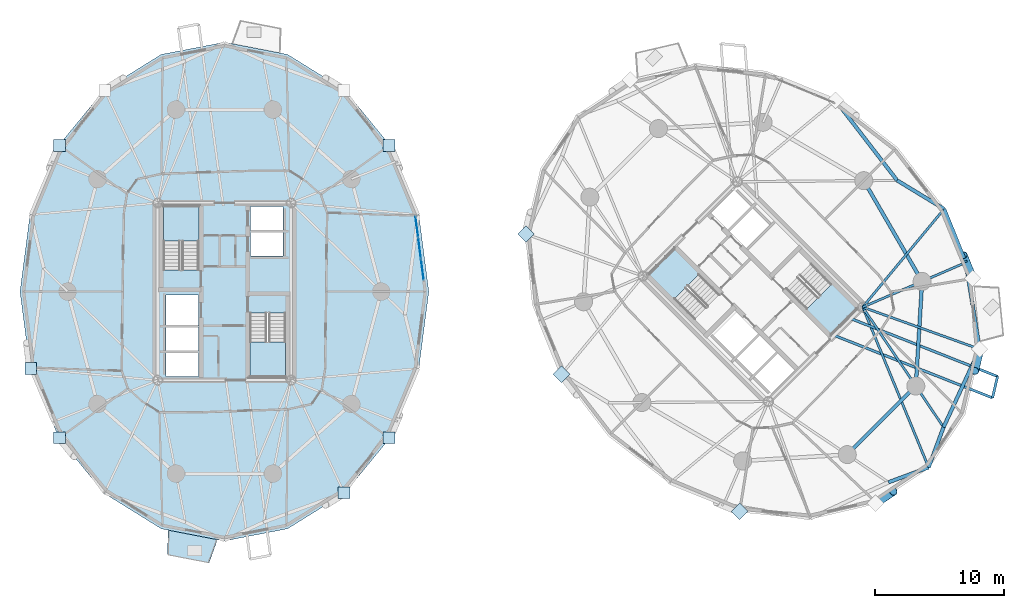
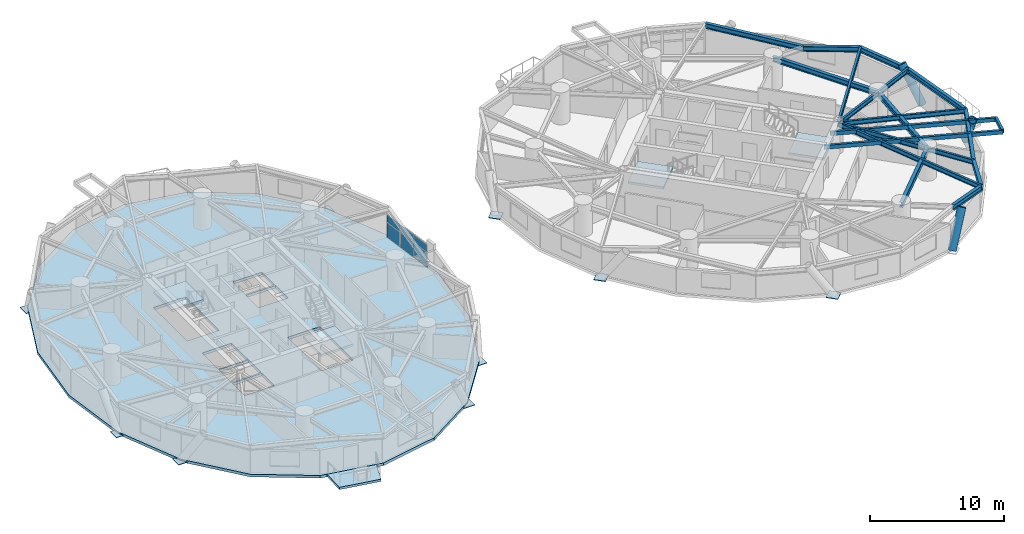
# One storey, part 8 of 19: 18 beams, 15 plates, 6 slabs, 3 members, 5 elements without a shape of their own.
"""IFC4 building model written with IfcOpenShell, lengths in metres."""

from ifc_helpers import new_model, si_unit, direction, frame, origin, origin_2d, place, context, subcontext, project, spatial, polyline, rectangle, hollow_rectangle, hollow_circle, i_section, outline, extrude, source, transform, mapped, material, layer, layer_set, material_profile, profile_set, type_object, element, aggregate, save


model = new_model("IFC4")

# Units and contexts
model_context = context("Model", 3, precision=1e-05, world=origin(), true_north=direction((0.0, 1.0)))
body_context = subcontext(model_context, "Body", "Model", "MODEL_VIEW")
ifc_project = project(units=[si_unit("LENGTHUNIT", "METRE"), si_unit("AREAUNIT", "SQUARE_METRE"), si_unit("VOLUMEUNIT", "CUBIC_METRE"), si_unit("PLANEANGLEUNIT", "RADIAN"), si_unit("MASSUNIT", "GRAM", prefix="KILO")], contexts=[model_context])

# Site, building, storey
site_placement = place(None, origin())
site = spatial("IfcSite", under=ifc_project, at=site_placement, CompositionType="ELEMENT")
building_placement = place(site_placement, origin())
building = spatial("IfcBuilding", under=site, at=building_placement, Name="Cununo Teusaquillo Station Towers", CompositionType="ELEMENT")
storey_placement = place(building_placement, frame((0.0, 0.0, 84.699951171875)))
storey = spatial("IfcBuildingStorey", under=building, at=storey_placement, Name="L26", CompositionType="ELEMENT", Elevation=84.699951171875)

# Beams
ifc_material_1 = material(Name="Steel EN 10025-2 S355J2", Category="steel")
ifc_material_profile_1 = material_profile(ifc_material_1, hollow_rectangle(XDim=0.199951171875, YDim=0.35009765625, WallThickness=0.013916015625, at=origin_2d()), Name="RHS 350x200x14")
ifc_profile_set_1 = profile_set([ifc_material_profile_1], Name="Steel EN 10025-2 S355J2")
beam_type_1 = type_object("IfcBeamType", Name="BM-BAL-CANT", PredefinedType="BEAM", material=ifc_profile_set_1)
beam_1_placement = place(storey_placement, frame((63.593505859375, 21.188720703125, 2.4951171875), z_axis=(0.930217566196, -0.367008555132, 0.0), x_axis=(0.367008555132, 0.930217566196, 0.0)))
element("IfcBeam", 1, at=beam_1_placement, inside=storey, type_object=beam_type_1, Name="L26 Tower B Balcony Cantilever Bracket 2A", PredefinedType="BEAM", context=body_context, shape_type="SweptSolid", body=[
    extrude(hollow_rectangle(XDim=0.199951171875, YDim=0.35009765625, WallThickness=0.013916015625, at=origin_2d()), origin(), (0.0, 0.0, 1.0), 13.44140625),
])
beam_2_placement = place(storey_placement, frame((64.894287109375, 22.48974609375, 2.4951171875), z_axis=(0.930220364523, -0.367001462432, 0.0), x_axis=(0.367001462432, 0.930220364523, 0.0)))
element("IfcBeam", 2, at=beam_2_placement, inside=storey, type_object=beam_type_1, Name="L26 Tower B Balcony Cantilever Bracket 2B", PredefinedType="BEAM", context=body_context, shape_type="SweptSolid", body=[
    extrude(hollow_rectangle(XDim=0.199951171875, YDim=0.35009765625, WallThickness=0.013916015625, at=origin_2d()), origin(), (0.0, 0.0, 1.0), 12.459716796875),
])
ifc_material_2 = material(Name="Steel ASTM A572 Grade 50", Category="steel")
ifc_material_profile_2 = material_profile(ifc_material_2, i_section(OverallWidth=0.180908203125, OverallDepth=0.4169921875, WebThickness=0.010986328125, FlangeThickness=0.018310546875, FilletRadius=0.012939453125, at=origin_2d()), Name="W16X57")
ifc_profile_set_2 = profile_set([ifc_material_profile_2], Name="Steel ASTM A572 Grade 50")
beam_type_2 = type_object("IfcBeamType", Name="BM-JOIST-1", PredefinedType="JOIST", material=ifc_profile_set_2)
beam_3_placement = place(storey_placement, frame((66.024169921875, 23.29443359375, 2.461669921875), z_axis=(0.380485864505, -0.924786735908, 0.0), x_axis=(0.924786735908, 0.380485864505, 0.0)))
element("IfcBeam", 3, at=beam_3_placement, inside=storey, type_object=beam_type_2, Name="L26 Tower B Radial Spandrel Joist V15", PredefinedType="JOIST", context=body_context, shape_type="SweptSolid", body=[
    extrude(i_section(OverallWidth=0.180908203125, OverallDepth=0.4169921875, WebThickness=0.010986328125, FlangeThickness=0.018310546875, FilletRadius=0.012939453125, at=origin_2d()), origin(), (0.0, 0.0, 1.0), 13.44580078125),
])
beam_4_placement = place(storey_placement, frame((66.024169921875, 23.29443359375, 2.461669921875), z_axis=(0.941082771055, -0.338176312038, 0.0), x_axis=(0.338176312038, 0.941082771055, 0.0)))
element("IfcBeam", 4, at=beam_4_placement, inside=storey, type_object=beam_type_2, Name="L26 Tower B Radial Spandrel Joist V17", PredefinedType="JOIST", context=body_context, shape_type="SweptSolid", body=[
    extrude(i_section(OverallWidth=0.180908203125, OverallDepth=0.4169921875, WebThickness=0.010986328125, FlangeThickness=0.018310546875, FilletRadius=0.012939453125, at=origin_2d()), origin(), (0.0, 0.0, 1.0), 9.646484375),
])
beam_5_placement = place(storey_placement, frame((66.024169921875, 23.29443359375, 2.461669921875), z_axis=(0.638372238196, 0.769727799615, 0.0), x_axis=(-0.769727799615, 0.638372238196, 0.0)))
element("IfcBeam", 5, at=beam_5_placement, inside=storey, type_object=beam_type_2, Name="L26 Tower B Radial Spandrel Joist V19", PredefinedType="JOIST", context=body_context, shape_type="SweptSolid", body=[
    extrude(i_section(OverallWidth=0.180908203125, OverallDepth=0.4169921875, WebThickness=0.010986328125, FlangeThickness=0.018310546875, FilletRadius=0.012939453125, at=origin_2d()), origin(), (0.0, 0.0, 1.0), 9.895263671875),
])
ifc_material_3 = material(Name="Steel ASTM A572 Grade 50", Category="steel")
ifc_material_profile_3 = material_profile(ifc_material_3, i_section(OverallWidth=0.180908203125, OverallDepth=0.4169921875, WebThickness=0.010986328125, FlangeThickness=0.018310546875, FilletRadius=0.012939453125, at=origin_2d()), Name="W16X57")
ifc_profile_set_3 = profile_set([ifc_material_profile_3], Name="Steel ASTM A572 Grade 50")
beam_type_3 = type_object("IfcBeamType", Name="BM-RAD-G2", PredefinedType="BEAM", material=ifc_profile_set_3)
beam_6_placement = place(storey_placement, frame((66.024169921875, 23.29443359375, 2.461669921875), z_axis=(0.558572297481, -0.82945583878, 0.0), x_axis=(0.82945583878, 0.558572297481, 0.0)))
element("IfcBeam", 6, at=beam_6_placement, inside=storey, type_object=beam_type_3, Name="L26 Tower B Continuous Overhanging Radial Girder 09", PredefinedType="BEAM", context=body_context, shape_type="SweptSolid", body=[
    extrude(i_section(OverallWidth=0.180908203125, OverallDepth=0.4169921875, WebThickness=0.010986328125, FlangeThickness=0.018310546875, FilletRadius=0.012939453125, at=origin_2d()), origin(), (0.0, 0.0, 1.0), 11.22998046875),
])
beam_7_placement = place(storey_placement, frame((66.024169921875, 23.29443359375, 2.461669921875), z_axis=(0.917654733344, 0.397378648609, 0.0), x_axis=(-0.397378648609, 0.917654733344, 0.0)))
element("IfcBeam", 7, at=beam_7_placement, inside=storey, type_object=beam_type_3, Name="L26 Tower B Continuous Overhanging Radial Girder 10", PredefinedType="BEAM", context=body_context, shape_type="SweptSolid", body=[
    extrude(i_section(OverallWidth=0.180908203125, OverallDepth=0.4169921875, WebThickness=0.010986328125, FlangeThickness=0.018310546875, FilletRadius=0.012939453125, at=origin_2d()), origin(), (0.0, 0.0, 1.0), 8.71484375),
])
ifc_material_4 = material(Name="Steel ASTM A572 Grade 50", Category="steel")
ifc_material_profile_4 = material_profile(ifc_material_4, i_section(OverallWidth=0.280029296875, OverallDepth=0.462890625, WebThickness=0.0107421875, FlangeThickness=0.017333984375, FilletRadius=0.013916015625, at=origin_2d()), Name="W18X76")
ifc_profile_set_4 = profile_set([ifc_material_profile_4], Name="Steel ASTM A572 Grade 50")
beam_type_4 = type_object("IfcBeamType", Name="BM-RING-Z2", PredefinedType="SPANDREL", material=ifc_profile_set_4)
beam_8_placement = place(storey_placement, frame((64.826904296875, 11.853759765625, 2.4384765625), z_axis=(0.707106781187, 0.707106781187, 0.0), x_axis=(-0.707106781187, 0.707106781187, 0.0)))
element("IfcBeam", 8, at=beam_8_placement, inside=storey, type_object=beam_type_4, Name="L26 Tower B Structural Column Ring Girder 08", PredefinedType="SPANDREL", context=body_context, shape_type="SweptSolid", body=[
    extrude(i_section(OverallWidth=0.280029296875, OverallDepth=0.462890625, WebThickness=0.0107421875, FlangeThickness=0.017333984375, FilletRadius=0.013916015625, at=origin_2d()), origin(), (0.0, 0.0, 1.0), 7.522705078125),
])
beam_9_placement = place(storey_placement, frame((70.146240234375, 17.173095703125, 2.4384765625), z_axis=(0.06012979176, 0.998190567048, 0.0), x_axis=(-0.998190567048, 0.06012979176, 0.0)))
element("IfcBeam", 9, at=beam_9_placement, inside=storey, type_object=beam_type_4, Name="L26 Tower B Structural Column Ring Girder 09", PredefinedType="SPANDREL", context=body_context, shape_type="SweptSolid", body=[
    extrude(i_section(OverallWidth=0.280029296875, OverallDepth=0.462890625, WebThickness=0.0107421875, FlangeThickness=0.017333984375, FilletRadius=0.013916015625, at=origin_2d()), origin(), (0.0, 0.0, 1.0), 8.132568359375),
])
beam_10_placement = place(storey_placement, frame((70.63525390625, 25.291015625, 2.4384765625), z_axis=(-0.501311121078, 0.865267103202, 0.0), x_axis=(-0.865267103202, -0.501311121078, 0.0)))
element("IfcBeam", 10, at=beam_10_placement, inside=storey, type_object=beam_type_4, Name="L26 Tower B Structural Column Ring Girder 10", PredefinedType="SPANDREL", context=body_context, shape_type="SweptSolid", body=[
    extrude(i_section(OverallWidth=0.280029296875, OverallDepth=0.462890625, WebThickness=0.0107421875, FlangeThickness=0.017333984375, FilletRadius=0.013916015625, at=origin_2d()), origin(), (0.0, 0.0, 1.0), 9.032958984375),
])
beam_11_placement = place(storey_placement, frame((68.694580078125, 33.12890625, 2.4384765625), z_axis=(-0.610100441726, 0.792324082056, 0.0), x_axis=(-0.792324082056, -0.610100441726, 0.0)))
element("IfcBeam", 11, at=beam_11_placement, inside=storey, type_object=beam_type_4, Name="L26 Tower B Spandrel Ring Beam 01", PredefinedType="SPANDREL", context=body_context, shape_type="SweptSolid", body=[
    extrude(i_section(OverallWidth=0.280029296875, OverallDepth=0.462890625, WebThickness=0.0107421875, FlangeThickness=0.017333984375, FilletRadius=0.013916015625, at=origin_2d()), origin(), (0.0, 0.0, 1.0), 7.84033203125),
])
for number, where, z_axis, x_axis, name in (
    (12, (68.020263671875, 9.703125, 2.4384765625), (0.937628334414, 0.347639333943, 0.0), (-0.347639333943, 0.937628334414, 0.0), "L26 Tower B Spandrel Ring Beam 15"),
    (13, (71.14013671875, 10.85986328125, 2.4384765625), (0.347639333943, 0.937628334414, 0.0), (-0.937628334414, 0.347639333943, 0.0), "L26 Tower B Spandrel Ring Beam 16"),
):
    element("IfcBeam", number, at=place(storey_placement, frame(where, z_axis=z_axis, x_axis=x_axis)), inside=storey, type_object=beam_type_4, Name=name, PredefinedType="SPANDREL", context=body_context, shape_type="SweptSolid", body=[
        extrude(i_section(OverallWidth=0.280029296875, OverallDepth=0.462890625, WebThickness=0.0107421875, FlangeThickness=0.017333984375, FilletRadius=0.013916015625, at=origin_2d()), origin(), (0.0, 0.0, 1.0), 3.327392578125),
    ])
beam_12_placement = place(storey_placement, frame((72.296875, 13.979736328125, 2.4384765625), z_axis=(0.420535961689, 0.907275870354, 0.0), x_axis=(-0.907275870354, 0.420535961689, 0.0)))
element("IfcBeam", 14, at=beam_12_placement, inside=storey, type_object=beam_type_4, Name="L26 Tower B Spandrel Ring Beam 17", PredefinedType="SPANDREL", context=body_context, shape_type="SweptSolid", body=[
    extrude(i_section(OverallWidth=0.280029296875, OverallDepth=0.462890625, WebThickness=0.0107421875, FlangeThickness=0.017333984375, FilletRadius=0.013916015625, at=origin_2d()), origin(), (0.0, 0.0, 1.0), 6.671142578125),
])
beam_13_placement = place(storey_placement, frame((75.102294921875, 20.0322265625, 2.4384765625), z_axis=(-0.158671232312, 0.987331474246, 0.0), x_axis=(-0.987331474246, -0.158671232312, 0.0)))
element("IfcBeam", 15, at=beam_13_placement, inside=storey, type_object=beam_type_4, Name="L26 Tower B Spandrel Ring Beam 18", PredefinedType="SPANDREL", context=body_context, shape_type="SweptSolid", body=[
    extrude(i_section(OverallWidth=0.280029296875, OverallDepth=0.462890625, WebThickness=0.0107421875, FlangeThickness=0.017333984375, FilletRadius=0.013916015625, at=origin_2d()), origin(), (0.0, 0.0, 1.0), 6.8115234375),
])
beam_14_placement = place(storey_placement, frame((74.021484375, 26.757568359375, 2.4384765625), z_axis=(-0.375042266631, 0.927007712072, 0.0), x_axis=(-0.927007712072, -0.375042266631, 0.0)))
element("IfcBeam", 16, at=beam_14_placement, inside=storey, type_object=beam_type_4, Name="L26 Tower B Spandrel Ring Beam 19", PredefinedType="SPANDREL", context=body_context, shape_type="SweptSolid", body=[
    extrude(i_section(OverallWidth=0.280029296875, OverallDepth=0.462890625, WebThickness=0.0107421875, FlangeThickness=0.017333984375, FilletRadius=0.013916015625, at=origin_2d()), origin(), (0.0, 0.0, 1.0), 4.480712890625),
])
beam_15_placement = place(storey_placement, frame((72.341064453125, 30.9111328125, 2.4384765625), z_axis=(-0.854388492444, 0.519634779416, 0.0), x_axis=(-0.519634779416, -0.854388492444, 0.0)))
element("IfcBeam", 17, at=beam_15_placement, inside=storey, type_object=beam_type_4, Name="L26 Tower B Spandrel Ring Beam 20", PredefinedType="SPANDREL", context=body_context, shape_type="SweptSolid", body=[
    extrude(i_section(OverallWidth=0.280029296875, OverallDepth=0.462890625, WebThickness=0.0107421875, FlangeThickness=0.017333984375, FilletRadius=0.013916015625, at=origin_2d()), origin(), (0.0, 0.0, 1.0), 4.26806640625),
])
ifc_material_5 = material(Name="Steel EN 10025-2 S355J2", Category="steel")
ifc_material_profile_5 = material_profile(ifc_material_5, hollow_rectangle(XDim=0.199951171875, YDim=0.35009765625, WallThickness=0.013916015625, at=origin_2d()), Name="RHS 350x200x14")
ifc_profile_set_5 = profile_set([ifc_material_profile_5], Name="Steel EN 10025-2 S355J2")
beam_type_5 = type_object("IfcBeamType", Name="BM-STAIR-TRIM", PredefinedType="BEAM", material=ifc_profile_set_5)
beam_16_placement = place(storey_placement, frame((76.096923828125, 16.255615234375, 2.525146484375), z_axis=(0.22725223503, 0.973835931599, 0.0), x_axis=(-0.973835931599, 0.22725223503, 0.0)))
element("IfcBeam", 18, at=beam_16_placement, inside=storey, type_object=beam_type_5, Name="L26 Tower B Balcony Edge Trimmer Beam 2", PredefinedType="BEAM", context=body_context, shape_type="SweptSolid", body=[
    extrude(hollow_rectangle(XDim=0.199951171875, YDim=0.35009765625, WallThickness=0.013916015625, at=origin_2d()), origin(), (0.0, 0.0, 1.0), 1.7060546875),
])

# Members
ifc_material_6 = material(Name="Steel EN 10025-2 S355J2", Category="steel")
ifc_material_profile_6 = material_profile(ifc_material_6, hollow_circle(Radius=0.330078125, WallThickness=0.02490234375, at=origin_2d()), Name="CHS 660x25")
ifc_profile_set_6 = profile_set([ifc_material_profile_6], Name="Steel EN 10025-2 S355J2")
member_type = type_object("IfcMemberType", Name="MBR-DIAG-Z2", PredefinedType="BRACE", material=ifc_profile_set_6)
member_1_placement = place(storey_placement, frame((67.019775390625, 8.07470703125, -0.139892578125), z_axis=(0.410124934173, 0.277231625428, 0.868872927552), x_axis=(-0.560024081213, 0.828476329452, 0.0)))
element("IfcMember", 19, at=member_1_placement, inside=storey, type_object=member_type, Name="L26 Tower B Folded-Zigzag Diagrid Tube C14", PredefinedType="BRACE", context=body_context, shape_type="SweptSolid", body=[
    extrude(hollow_circle(Radius=0.330078125, WallThickness=0.02490234375, at=origin_2d()), origin(), (0.0, 0.0, 1.0), 3.34912109375),
])
member_2_placement = place(storey_placement, frame((75.102294921875, 20.0322265625, -0.139892578125), z_axis=(-0.115910772147, -0.497471434658, 0.859701613701), x_axis=(0.973913029911, -0.226921594761, 0.0)))
element("IfcMember", 20, at=member_2_placement, inside=storey, type_object=member_type, Name="L26 Tower B Folded-Zigzag Diagrid Tube C16", PredefinedType="BRACE", context=body_context, shape_type="SweptSolid", body=[
    extrude(hollow_circle(Radius=0.330078125, WallThickness=0.02490234375, at=origin_2d()), origin(), (0.0, 0.0, 1.0), 3.384765625),
])
member_3_placement = place(storey_placement, frame((74.556640625, 25.521728515625, -0.139892578125), z_axis=(-0.211093316399, 0.51346268498, 0.83174255807), x_axis=(-0.924888817599, -0.380237656053, 0.0)))
element("IfcMember", 21, at=member_3_placement, inside=storey, type_object=member_type, Name="L26 Tower B Folded-Zigzag Diagrid Tube C18", PredefinedType="BRACE", context=body_context, shape_type="SweptSolid", body=[
    extrude(hollow_circle(Radius=0.330078125, WallThickness=0.02490234375, at=origin_2d()), origin(), (0.0, 0.0, 1.0), 3.49853515625),
])

# Slab
ifc_material_7 = material(Name="Concrete C50/60", Category="concrete")
ifc_layer_1 = layer(ifc_material_7, 0.2099609375)
ifc_layer_set_1 = layer_set([ifc_layer_1], Name="Concrete C50/60")
slab_type_1 = type_object("IfcSlabType", Name="SLB-BAL-210", PredefinedType="FLOOR", material=ifc_layer_set_1)
slab_1_placement = place(storey_placement, frame((0.0, 0.0, -0.2099609375)))
element("IfcSlab", 22, at=slab_1_placement, inside=storey, type_object=slab_type_1, Name="L26 Tower A Tree Balcony Slab 2", PredefinedType="FLOOR", context=body_context, shape_type="SweptSolid", body=[
    extrude(outline(polyline([(12.1376953125, 5.98779296875), (15.958984375, 5.24951171875), (15.30126953125, 3.426025390625), (12.069091796875, 4.05078125), (12.1376953125, 5.98779296875)])), origin(), (0.0, 0.0, 1.0), 0.2099609375),
])

# Stair, slab
ifc_material_8 = material(Name="Concrete C50/60", Category="concrete")
stair_type = type_object("IfcStairType", Name="ST-TWR-1300", PredefinedType="HALF_TURN_STAIR", material=ifc_material_8)
stair_1_placement = place(storey_placement, origin())
stair_1 = element("IfcStair", 23, at=stair_1_placement, inside=storey, type_object=stair_type, Name="L26 Tower A Protected Core Exit Stair 1", PredefinedType="HALF_TURN_STAIR")
ifc_material_9 = material(Name="Concrete C50/60", Category="concrete")
ifc_layer_2 = layer(ifc_material_9, 0.199951171875)
ifc_layer_set_2 = layer_set([ifc_layer_2], Name="Concrete C50/60")
slab_type_2 = type_object("IfcSlabType", Name="SLB-STAIR-LND", PredefinedType="LANDING", material=ifc_layer_set_2)
slab_2_placement = place(storey_placement, frame((0.0, 0.0, 1.255126953125)))
slab_2 = element("IfcSlab", 24, at=slab_2_placement, type_object=slab_type_2, Name="ST-T1-1 landing 1", PredefinedType="LANDING", context=body_context, shape_type="SweptSolid", body=[
    extrude(outline(polyline([(14.52001953125, 28.409912109375), (14.52001953125, 31.159912109375), (11.760009765625, 31.159912109375), (11.760009765625, 28.409912109375), (14.52001953125, 28.409912109375)])), origin(), (0.0, 0.0, 1.0), 0.199951171875),
])
aggregate(stair_1, [slab_2])

stair_2_placement = place(storey_placement, origin())
stair_2 = element("IfcStair", 25, at=stair_2_placement, inside=storey, type_object=stair_type, Name="L26 Tower A Protected Core Exit Stair 2", PredefinedType="HALF_TURN_STAIR")
slab_3_placement = place(storey_placement, frame((0.0, 0.0, 1.255126953125)))
slab_3 = element("IfcSlab", 26, at=slab_3_placement, type_object=slab_type_2, Name="ST-T1-2 landing 1", PredefinedType="LANDING", context=body_context, shape_type="SweptSolid", body=[
    extrude(outline(polyline([(18.47998046875, 20.590087890625), (18.47998046875, 17.840087890625), (21.239990234375, 17.840087890625), (21.239990234375, 20.590087890625), (18.47998046875, 20.590087890625)])), origin(), (0.0, 0.0, 1.0), 0.199951171875),
])
aggregate(stair_2, [slab_3])

stair_3_placement = place(storey_placement, origin())
stair_3 = element("IfcStair", 27, at=stair_3_placement, inside=storey, type_object=stair_type, Name="L26 Tower B Protected Core Exit Stair 1", PredefinedType="HALF_TURN_STAIR")
slab_4_placement = place(storey_placement, frame((0.0, 0.0, 1.255126953125)))
slab_4 = element("IfcSlab", 28, at=slab_4_placement, type_object=slab_type_2, Name="ST-T2-1 landing 1", PredefinedType="LANDING", context=body_context, shape_type="SweptSolid", body=[
    extrude(outline(polyline([(53.335205078125, 25.86474609375), (51.390625, 27.809326171875), (49.43896484375, 25.857666015625), (51.383544921875, 23.9130859375), (53.335205078125, 25.86474609375)])), origin(), (0.0, 0.0, 1.0), 0.199951171875),
])
aggregate(stair_3, [slab_4])

stair_4_placement = place(storey_placement, origin())
stair_4 = element("IfcStair", 29, at=stair_4_placement, inside=storey, type_object=stair_type, Name="L26 Tower B Protected Core Exit Stair 2", PredefinedType="HALF_TURN_STAIR")
slab_5_placement = place(storey_placement, frame((0.0, 0.0, 1.255126953125)))
slab_5 = element("IfcSlab", 30, at=slab_5_placement, type_object=slab_type_2, Name="ST-T2-2 landing 1", PredefinedType="LANDING", context=body_context, shape_type="SweptSolid", body=[
    extrude(outline(polyline([(61.664794921875, 23.13525390625), (63.609375, 21.190673828125), (65.56103515625, 23.142333984375), (63.616455078125, 25.0869140625), (61.664794921875, 23.13525390625)])), origin(), (0.0, 0.0, 1.0), 0.199951171875),
])
aggregate(stair_4, [slab_5])

# Slab
ifc_material_10 = material(Name="Concrete C40/50", Category="concrete")
ifc_layer_3 = layer(ifc_material_10, 0.239990234375)
ifc_layer_set_3 = layer_set([ifc_layer_3], Name="Concrete C40/50")
slab_type_3 = type_object("IfcSlabType", Name="SLB-Z2-240", PredefinedType="FLOOR", material=ifc_layer_set_3)
slab_6_placement = place(storey_placement, frame((0.0, 0.0, -0.239990234375)))
element("IfcSlab", 31, at=slab_6_placement, inside=storey, type_object=slab_type_3, Name="L26 Tower A Floor Slab", PredefinedType="FLOOR", context=body_context, shape_type="SweptSolid", body=[
    extrude(outline(polyline([(32.361083984375, 24.5), (31.584716796875, 30.4794921875), (29.331787109375, 35.87353515625), (25.822998046875, 40.154541015625), (21.4013671875, 42.90283203125), (16.5, 43.85009765625), (11.5986328125, 42.90283203125), (7.177001953125, 40.154541015625), (3.668212890625, 35.87353515625), (1.415283203125, 30.4794921875), (0.638916015625, 24.5), (1.415283203125, 18.5205078125), (3.668212890625, 13.12646484375), (7.177001953125, 8.845458984375), (11.5986328125, 6.09716796875), (16.5, 5.14990234375), (21.4013671875, 6.09716796875), (25.822998046875, 8.845458984375), (29.331787109375, 13.12646484375), (31.584716796875, 18.5205078125), (32.361083984375, 24.5)]), holes=[polyline([(14.52001953125, 26.176025390625), (14.52001953125, 31.159912109375), (11.760009765625, 31.159912109375), (11.760009765625, 26.176025390625), (14.52001953125, 26.176025390625)]), polyline([(18.47998046875, 22.823974609375), (18.47998046875, 17.840087890625), (21.239990234375, 17.840087890625), (21.239990234375, 22.823974609375), (18.47998046875, 22.823974609375)]), polyline([(11.949951171875, 21.85009765625), (14.47998046875, 21.85009765625), (14.47998046875, 24.25), (11.949951171875, 24.25), (11.949951171875, 21.85009765625)]), polyline([(11.949951171875, 17.89990234375), (14.47998046875, 17.89990234375), (14.47998046875, 19.75), (11.949951171875, 19.75), (11.949951171875, 17.89990234375)]), polyline([(11.949951171875, 19.89990234375), (14.47998046875, 19.89990234375), (14.47998046875, 21.75), (11.949951171875, 21.75), (11.949951171875, 19.89990234375)]), polyline([(18.52001953125, 27.25), (21.050048828125, 27.25), (21.050048828125, 29.10009765625), (18.52001953125, 29.10009765625), (18.52001953125, 27.25)]), polyline([(18.52001953125, 29.25), (21.050048828125, 29.25), (21.050048828125, 31.10009765625), (18.52001953125, 31.10009765625), (18.52001953125, 29.25)])]), origin(), (0.0, 0.0, 1.0), 0.239990234375),
])

# Plates
ifc_material_11 = material(Name="Steel ASTM A572 Grade 50", Category="steel")
ifc_layer_4 = layer(ifc_material_11, 0.050048828125)
ifc_layer_set_4 = layer_set([ifc_layer_4], Name="Steel ASTM A572 Grade 50")
plate_type_1 = type_object("IfcPlateType", Name="PLT-NODE-DN1", PredefinedType="USERDEFINED", material=ifc_layer_set_4)
shared_shape_1 = source(origin(), body_context, "Body", "SweptSolid", [
    extrude(rectangle(XDim=0.919921875, YDim=0.919921875, at=origin_2d()), origin(), (0.0, 0.0, 1.0), 0.050048828125),
])
for number, where, z_axis, x_axis, name in (
    (32, (29.283203125, 35.83837890625, -0.1650390625), (0.0, 0.0, 1.0), (1.0, 0.0, 0.0), "L26 Tower A Diagrid Node Assembly C01"),
    (33, (3.716796875, 35.83837890625, -0.1650390625), (0.0, 0.0, 1.0), (1.0, 0.0, 0.0), "L26 Tower A Diagrid Node Assembly C08"),
    (34, (1.472412109375, 18.5390625, -0.1650390625), (0.0, 0.0, 1.0), (1.0, 0.0, 0.0), "L26 Tower A Diagrid Node Assembly C10"),
    (35, (3.716796875, 13.16162109375, -0.1650390625), (0.0, 0.0, 1.0), (1.0, 0.0, 0.0), "L26 Tower A Diagrid Node Assembly C12"),
    (36, (25.78759765625, 8.89404296875, -0.1650390625), (0.0, 0.0, 1.0), (1.0, 0.0, 0.0), "L26 Tower A Diagrid Node Assembly C16"),
    (37, (29.283203125, 13.16162109375, -0.1650390625), (0.0, 0.0, 1.0), (1.0, 0.0, 0.0), "L26 Tower A Diagrid Node Assembly C18"),
    (38, (39.897705078125, 28.9677734375, -0.1650390625), (0.0, 0.0, 1.0), (0.707106781187, 0.707106781187, 0.0), "L26 Tower B Diagrid Node Assembly C06"),
    (39, (42.658935546875, 18.0888671875, -0.1650390625), (0.0, 0.0, 1.0), (0.707106781187, 0.707106781187, 0.0), "L26 Tower B Diagrid Node Assembly C09"),
    (40, (56.478271484375, 7.443359375, -0.1650390625), (0.0, 0.0, 1.0), (0.707106781187, 0.707106781187, 0.0), "L26 Tower B Diagrid Node Assembly C11"),
):
    element("IfcPlate", number, at=place(storey_placement, frame(where, z_axis=z_axis, x_axis=x_axis)), inside=storey, type_object=plate_type_1, Name=name, ObjectType="GUSSET PLATE", PredefinedType="USERDEFINED", context=body_context, shape_type="MappedRepresentation", body=[
        mapped(shared_shape_1, transform((0.0, 0.0, 0.0), x_axis=(1.0, 0.0, 0.0), y_axis=(0.0, 1.0, 0.0), z_axis=(0.0, 0.0, 1.0), scale=1.0)),
    ])

# Curtain wall, plates
ifc_material_12 = material(Name="Ceramic-fritted dark low-E double glazing", Category="glass")
ifc_layer_5 = layer(ifc_material_12, 0.179931640625)
ifc_layer_set_5 = layer_set([ifc_layer_5], Name="Ceramic-fritted dark low-E double glazing")
curtain_wall_type = type_object("IfcCurtainWallType", Name="CW-SYS-04", PredefinedType="USERDEFINED", material=ifc_layer_set_5)
curtain_wall_placement = place(storey_placement, origin())
curtain_wall = element("IfcCurtainWall", 41, at=curtain_wall_placement, inside=storey, type_object=curtain_wall_type, Name="L26 Tower A Facade Curtain Wall C00", ObjectType="FRITTED GLAZING", PredefinedType="USERDEFINED")
ifc_material_13 = material(Name="Ceramic-fritted dark low-E double glazing", Category="glass")
ifc_layer_6 = layer(ifc_material_13, 0.028076171875)
ifc_layer_set_6 = layer_set([ifc_layer_6], Name="Ceramic-fritted dark low-E double glazing")
plate_type_2 = type_object("IfcPlateType", Name="CWP-FRIT-28", PredefinedType="CURTAIN_PANEL", material=ifc_layer_set_6)
shared_shape_2 = source(origin(), body_context, "Body", "SweptSolid", [
    extrude(rectangle(XDim=1.59228515625, YDim=0.028076171875, at=origin_2d()), origin(), (0.0, 0.0, 1.0), 1.31103515625),
])
plate_1_placement = place(storey_placement, frame((31.429443359375, 29.533935546875, 0.070068359375), z_axis=(0.0, 0.0, 1.0), x_axis=(0.128335852387, -0.991730764367, 0.0)))
plate_1 = element("IfcPlate", 42, at=plate_1_placement, type_object=plate_type_2, Name="CW-04 panel 1.1", PredefinedType="CURTAIN_PANEL", context=body_context, shape_type="MappedRepresentation", body=[
    mapped(shared_shape_2, transform((0.0, 0.0, 0.0), x_axis=(1.0, 0.0, 0.0), y_axis=(0.0, 1.0, 0.0), z_axis=(0.0, 0.0, 1.0), scale=1.0)),
])
plate_2_placement = place(storey_placement, frame((31.86083984375, 26.201904296875, 0.070068359375), z_axis=(0.0, 0.0, 1.0), x_axis=(0.128335852387, -0.991730764367, 0.0)))
plate_2 = element("IfcPlate", 43, at=plate_2_placement, type_object=plate_type_2, Name="CW-04 panel 3.1", PredefinedType="CURTAIN_PANEL", context=body_context, shape_type="MappedRepresentation", body=[
    mapped(shared_shape_2, transform((0.0, 0.0, 0.0), x_axis=(1.0, 0.0, 0.0), y_axis=(0.0, 1.0, 0.0), z_axis=(0.0, 0.0, 1.0), scale=1.0)),
])
shared_shape_3 = source(origin(), body_context, "Body", "SweptSolid", [
    extrude(rectangle(XDim=1.59228515625, YDim=0.028076171875, at=origin_2d()), origin(), (0.0, 0.0, 1.0), 0.657958984375),
])
plate_3_placement = place(storey_placement, frame((31.429443359375, 29.533935546875, 1.451171875), z_axis=(0.0, 0.0, 1.0), x_axis=(0.128335852387, -0.991730764367, 0.0)))
plate_3 = element("IfcPlate", 44, at=plate_3_placement, type_object=plate_type_2, Name="CW-04 panel 1.2", PredefinedType="CURTAIN_PANEL", context=body_context, shape_type="MappedRepresentation", body=[
    mapped(shared_shape_3, transform((0.0, 0.0, 0.0), x_axis=(1.0, 0.0, 0.0), y_axis=(0.0, 1.0, 0.0), z_axis=(0.0, 0.0, 1.0), scale=1.0)),
])
plate_4_placement = place(storey_placement, frame((31.86083984375, 26.201904296875, 1.451171875), z_axis=(0.0, 0.0, 1.0), x_axis=(0.128335852387, -0.991730764367, 0.0)))
plate_4 = element("IfcPlate", 45, at=plate_4_placement, type_object=plate_type_2, Name="CW-04 panel 3.2", PredefinedType="CURTAIN_PANEL", context=body_context, shape_type="MappedRepresentation", body=[
    mapped(shared_shape_3, transform((0.0, 0.0, 0.0), x_axis=(1.0, 0.0, 0.0), y_axis=(0.0, 1.0, 0.0), z_axis=(0.0, 0.0, 1.0), scale=1.0)),
])
shared_shape_4 = source(origin(), body_context, "Body", "SweptSolid", [
    extrude(rectangle(XDim=1.62744140625, YDim=0.028076171875, at=origin_2d()), origin(), (0.0, 0.0, 1.0), 1.31103515625),
])
plate_5_placement = place(storey_placement, frame((31.645263671875, 27.867919921875, 0.070068359375), z_axis=(0.0, 0.0, 1.0), x_axis=(0.128335852387, -0.991730764367, 0.0)))
plate_5 = element("IfcPlate", 46, at=plate_5_placement, type_object=plate_type_2, Name="CW-04 panel 2.1", PredefinedType="CURTAIN_PANEL", context=body_context, shape_type="MappedRepresentation", body=[
    mapped(shared_shape_4, transform((0.0, 0.0, 0.0), x_axis=(1.0, 0.0, 0.0), y_axis=(0.0, 1.0, 0.0), z_axis=(0.0, 0.0, 1.0), scale=1.0)),
])
shared_shape_5 = source(origin(), body_context, "Body", "SweptSolid", [
    extrude(rectangle(XDim=1.62744140625, YDim=0.028076171875, at=origin_2d()), origin(), (0.0, 0.0, 1.0), 0.657958984375),
])
plate_6_placement = place(storey_placement, frame((31.645263671875, 27.867919921875, 1.451171875), z_axis=(0.0, 0.0, 1.0), x_axis=(0.128335852387, -0.991730764367, 0.0)))
plate_6 = element("IfcPlate", 47, at=plate_6_placement, type_object=plate_type_2, Name="CW-04 panel 2.2", PredefinedType="CURTAIN_PANEL", context=body_context, shape_type="MappedRepresentation", body=[
    mapped(shared_shape_5, transform((0.0, 0.0, 0.0), x_axis=(1.0, 0.0, 0.0), y_axis=(0.0, 1.0, 0.0), z_axis=(0.0, 0.0, 1.0), scale=1.0)),
])
aggregate(curtain_wall, [plate_1, plate_3, plate_5, plate_6, plate_2, plate_4])

save(model, "model.ifc")
